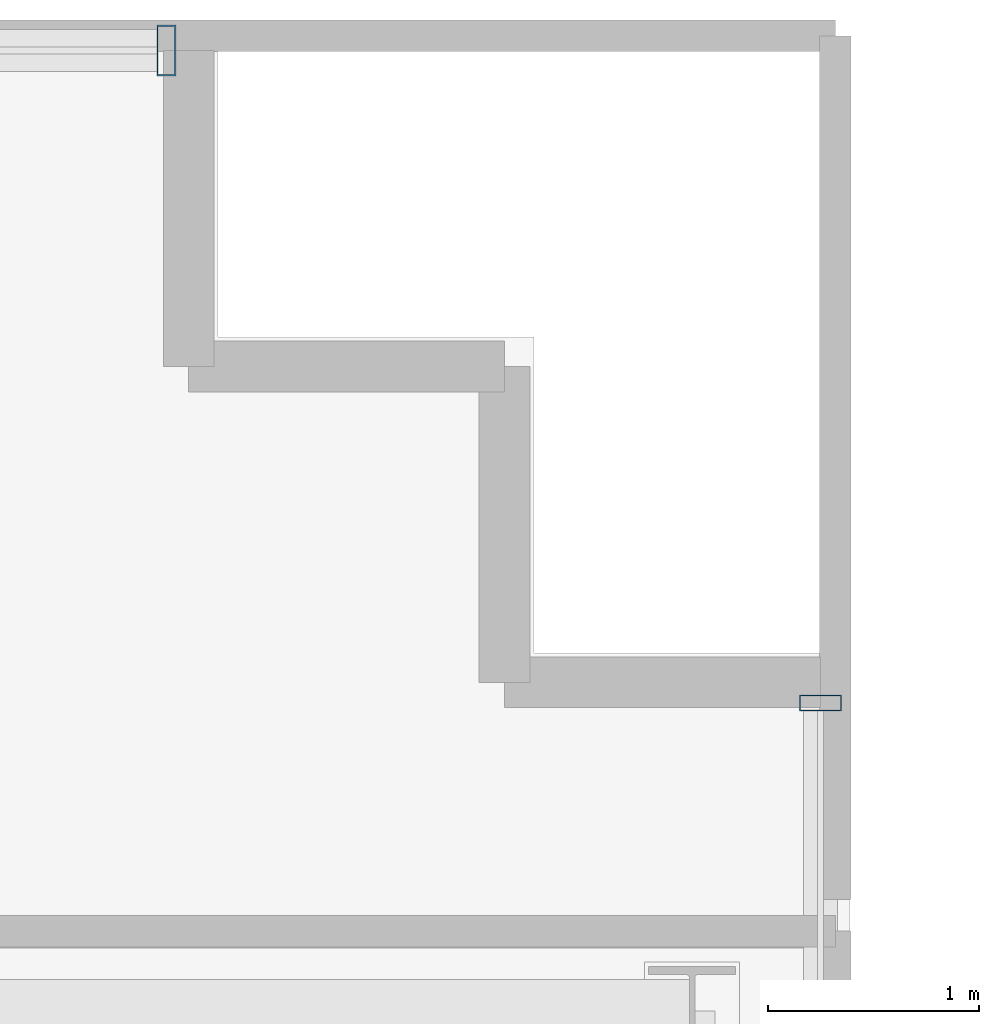
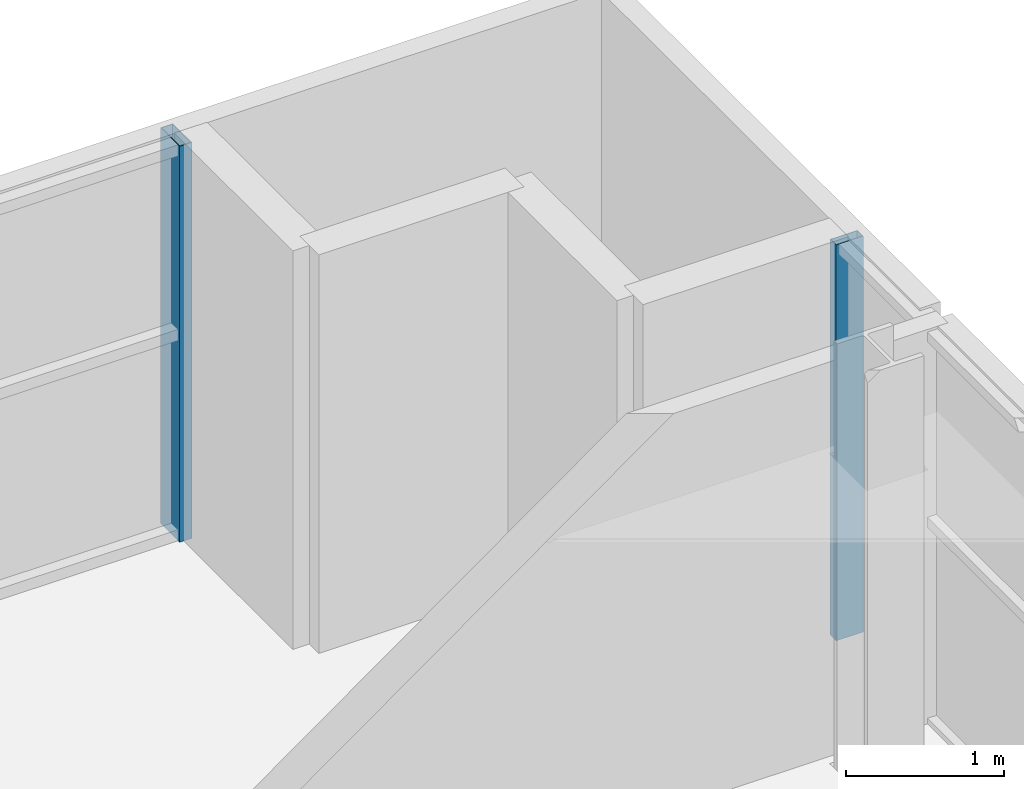
# One storey, part 20 of 30: 2 members, 2 elements without a shape of their own.
"""IFC4 building model written with IfcOpenShell, lengths in metres."""

from ifc_helpers import new_model, si_unit, direction, frame, origin, origin_2d, place, context, subcontext, project, spatial, hollow_rectangle, extrude, source, transform, mapped, material, layer, layer_set, material_profile, profile_set, type_object, element, aggregate, save


model = new_model("IFC4")

# Units and contexts
model_context = context("Model", 3, precision=1e-05, world=origin(), true_north=direction((0.0, 1.0)))
body_context = subcontext(model_context, "Body", "Model", "MODEL_VIEW")
ifc_project = project(units=[si_unit("LENGTHUNIT", "METRE"), si_unit("AREAUNIT", "SQUARE_METRE"), si_unit("VOLUMEUNIT", "CUBIC_METRE"), si_unit("PLANEANGLEUNIT", "RADIAN"), si_unit("MASSUNIT", "GRAM", prefix="KILO")], contexts=[model_context])

# Site, building, storey
site_placement = place(None, origin())
site = spatial("IfcSite", under=ifc_project, at=site_placement, CompositionType="ELEMENT")
building_placement = place(site_placement, origin())
building = spatial("IfcBuilding", under=site, at=building_placement, Name="Zarnakvel Exchange Tower", CompositionType="ELEMENT")
storey_placement = place(building_placement, frame((0.0, 0.0, 30.699951171875)))
storey = spatial("IfcBuildingStorey", under=building, at=storey_placement, Name="L07", CompositionType="ELEMENT", Elevation=30.699951171875)

# Curtain wall, member
ifc_material = material(Name="Architectural Bronze Anodised Aluminium", Category="aluminium")
ifc_layer_1 = layer(ifc_material, 0.239990234375)
ifc_layer_set_1 = layer_set([ifc_layer_1], Name="Architectural Bronze Anodised Aluminium")
curtain_wall_type_1 = type_object("IfcCurtainWallType", Name="CW-02", PredefinedType="NOTDEFINED", material=ifc_layer_set_1)
curtain_wall_1_placement = place(storey_placement, origin())
curtain_wall_1 = element("IfcCurtainWall", 1, at=curtain_wall_1_placement, inside=storey, type_object=curtain_wall_type_1, Name="L07 Curtain Wall CW-L07-N1 (CW-02)", PredefinedType="NOTDEFINED")
ifc_material_profile_1 = material_profile(ifc_material, hollow_rectangle(XDim=0.239990234375, YDim=0.090087890625, WallThickness=0.006103515625, at=origin_2d()))
ifc_profile_set_1 = profile_set([ifc_material_profile_1], Name="Architectural Bronze Anodised Aluminium")
member_type_1 = type_object("IfcMemberType", Name="CWM-02", PredefinedType="MULLION", material=ifc_profile_set_1)
shared_shape_1 = source(origin(), body_context, "Body", "SweptSolid", [
    extrude(hollow_rectangle(XDim=0.239990234375, YDim=0.090087890625, WallThickness=0.006103515625, at=origin_2d()), origin(), (0.0, 0.0, 1.0), 3.054931640625),
])
member_1_placement = place(storey_placement, frame((25.35498046875, 18.06005859375, 0.0), z_axis=(0.0, 0.0, 1.0), x_axis=(0.0, 1.0, 0.0)))
member_1 = element("IfcMember", 2, at=member_1_placement, type_object=member_type_1, Name="CW-02 mullion 8", PredefinedType="MULLION", context=body_context, shape_type="MappedRepresentation", body=[
    mapped(shared_shape_1, transform((0.0, 0.0, 0.0), x_axis=(1.0, 0.0, 0.0), y_axis=(0.0, 1.0, 0.0), z_axis=(0.0, 0.0, 1.0), scale=1.0)),
])
aggregate(curtain_wall_1, [member_1])

ifc_layer_2 = layer(ifc_material, 0.199951171875)
ifc_layer_set_2 = layer_set([ifc_layer_2], Name="Architectural Bronze Anodised Aluminium")
curtain_wall_type_2 = type_object("IfcCurtainWallType", Name="CW-04", PredefinedType="NOTDEFINED", material=ifc_layer_set_2)
curtain_wall_2_placement = place(storey_placement, origin())
curtain_wall_2 = element("IfcCurtainWall", 3, at=curtain_wall_2_placement, inside=storey, type_object=curtain_wall_type_2, Name="L07 Curtain Wall CW-L07-EN (CW-04)", PredefinedType="NOTDEFINED")
ifc_material_profile_2 = material_profile(ifc_material, hollow_rectangle(XDim=0.199951171875, YDim=0.074951171875, WallThickness=0.0048828125, at=origin_2d()))
ifc_profile_set_2 = profile_set([ifc_material_profile_2], Name="Architectural Bronze Anodised Aluminium")
member_type_2 = type_object("IfcMemberType", Name="CWM-04", PredefinedType="MULLION", material=ifc_profile_set_2)
shared_shape_2 = source(origin(), body_context, "Body", "SweptSolid", [
    extrude(hollow_rectangle(XDim=0.199951171875, YDim=0.074951171875, WallThickness=0.0048828125, at=origin_2d()), origin(), (0.0, 0.0, 1.0), 3.054931640625),
])
member_2_placement = place(storey_placement, frame((28.4599609375, 14.96240234375, 0.0), z_axis=(0.0, 0.0, 1.0), x_axis=(-1.0, 0.0, 0.0)))
member_2 = element("IfcMember", 4, at=member_2_placement, type_object=member_type_2, Name="CW-04 mullion 3", PredefinedType="MULLION", context=body_context, shape_type="MappedRepresentation", body=[
    mapped(shared_shape_2, transform((0.0, 0.0, 0.0), x_axis=(1.0, 0.0, 0.0), y_axis=(0.0, 1.0, 0.0), z_axis=(0.0, 0.0, 1.0), scale=1.0)),
])
aggregate(curtain_wall_2, [member_2])

save(model, "model.ifc")
